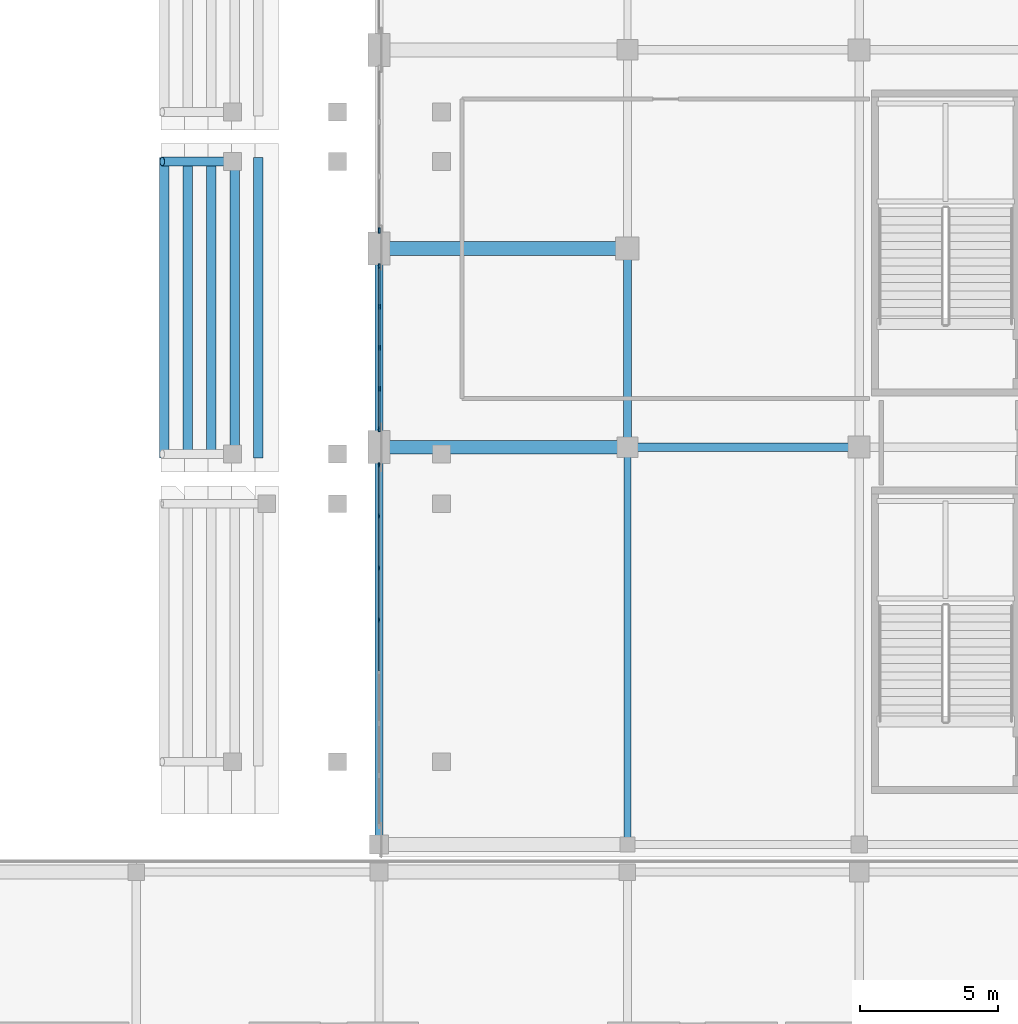
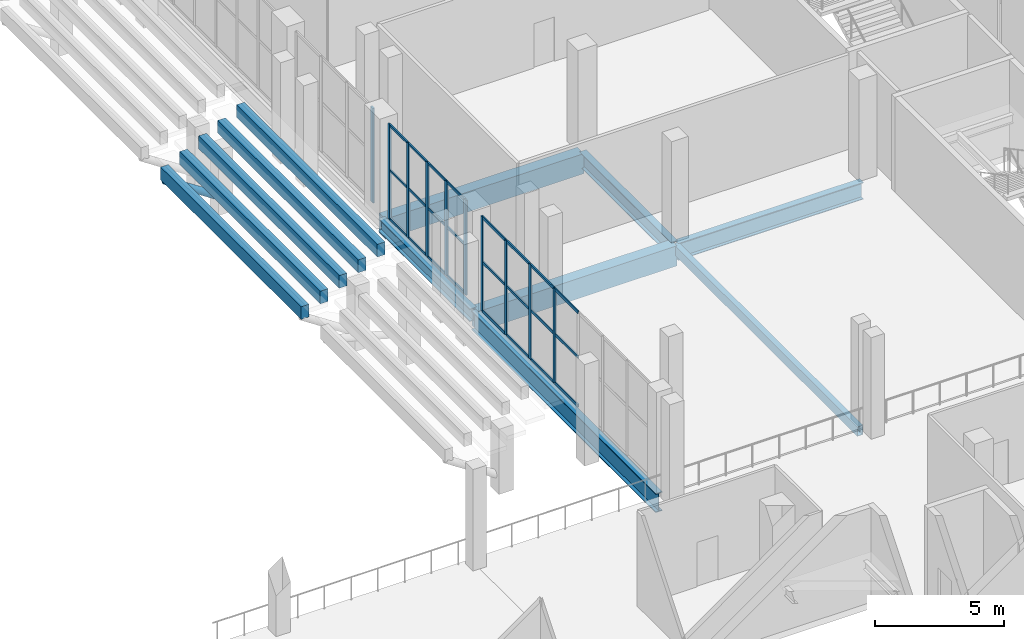
# One storey, part 44 of 142: 35 members, 12 beams, 3 elements without a shape of their own.
"""IFC4 building model written with IfcOpenShell, lengths in metres."""

import ifcopenshell
import ifcopenshell.guid

model = None  # the IFC model being written
_history = None  # IfcOwnerHistory: only IFC2X3 demands one
_inside = {}  # id of a spatial element -> (the spatial element, [elements in it])
_under = {}  # id of a project, library or spatial element -> (it, [spatial elements below it])
_declared = {}  # id of a project -> (the project, [libraries it declares])
_typed = {}  # id of a type object -> (the type object, [elements of that type])
_made_of = {}  # id of a material, layer set ... -> (it, [elements and type objects made of it])


def new_model(schema):
    """Start an empty IFC model of exactly this schema.

    Asked for "IFC4X3", IfcOpenShell would pick the latest addendum, in which some entities
    have other attributes; the version numbers below select the first issue.
    IFC2X3 requires an IfcOwnerHistory on every rooted entity: one is made here for all.
    """
    global model, _history
    if schema == "IFC4X3":
        model = ifcopenshell.file(schema_version=(4, 3, 0, 0))
    else:
        model = ifcopenshell.file(schema=schema)
    _inside.clear()
    _under.clear()
    _declared.clear()
    _typed.clear()
    _made_of.clear()
    _history = None
    if model.schema == "IFC2X3":
        org = make("IfcOrganization", Name="unknown")
        user = make(
            "IfcPersonAndOrganization",
            ThePerson=make("IfcPerson", FamilyName="unknown"),
            TheOrganization=org,
        )
        app = make(
            "IfcApplication",
            ApplicationDeveloper=org,
            Version="unknown",
            ApplicationFullName="unknown",
            ApplicationIdentifier="unknown",
        )
        _history = make(
            "IfcOwnerHistory",
            OwningUser=user,
            OwningApplication=app,
            ChangeAction="ADDED",
            CreationDate=0,
        )
    return model


def make(cls, **values):
    """One entity of the class cls with the attributes given. An attribute that is None is left unset."""
    return model.create_entity(
        cls, **{name: value for name, value in values.items() if value is not None}
    )


def rooted(cls, **values):
    """An entity with a GlobalId (a new one), such as an element, a storey or a relation."""
    return make(cls, GlobalId=ifcopenshell.guid.new(), OwnerHistory=_history, **values)


def si_unit(unit_type, name, prefix=None):
    """IfcSIUnit, for example si_unit("LENGTHUNIT", "METRE", prefix="MILLI")."""
    return make("IfcSIUnit", UnitType=unit_type, Prefix=prefix, Name=name)


def assignment(units):
    """IfcUnitAssignment: the units of a project."""
    return None if units is None else make("IfcUnitAssignment", Units=units)


def point(xyz):
    """IfcCartesianPoint."""
    return None if xyz is None else make("IfcCartesianPoint", Coordinates=xyz)


def direction(xyz):
    """IfcDirection."""
    return None if xyz is None else make("IfcDirection", DirectionRatios=xyz)


def frame(location, z_axis=None, x_axis=None):
    """IfcAxis2Placement3D, a coordinate frame: its origin and axes. An axis left out is left unset."""
    return make(
        "IfcAxis2Placement3D",
        Location=point(location),
        Axis=direction(z_axis),
        RefDirection=direction(x_axis),
    )


def frame_2d(location, x_axis=None):
    """IfcAxis2Placement2D, a coordinate frame in the plane: its origin and x axis."""
    return make(
        "IfcAxis2Placement2D", Location=point(location), RefDirection=direction(x_axis)
    )


def origin():
    """The frame at (0, 0, 0) with its axes left unset."""
    return frame((0.0, 0.0, 0.0))


def origin_2d():
    """The frame at (0, 0) in the plane with its x axis left unset."""
    return frame_2d((0.0, 0.0))


def place(relative_to, where):
    """IfcLocalPlacement: puts the frame where relative to a parent placement (None: the world)."""
    return make(
        "IfcLocalPlacement", PlacementRelTo=relative_to, RelativePlacement=where
    )


def context(
    kind, dimensions, precision=None, world=None, true_north=None, identifier=None
):
    """IfcGeometricRepresentationContext, for example the 3D "Model" context."""
    return make(
        "IfcGeometricRepresentationContext",
        ContextIdentifier=identifier,
        ContextType=kind,
        CoordinateSpaceDimension=dimensions,
        Precision=precision,
        WorldCoordinateSystem=world,
        TrueNorth=true_north,
    )


def subcontext(parent, identifier, kind, view, scale=None):
    """IfcGeometricRepresentationSubContext, for example "Body" below "Model"."""
    return make(
        "IfcGeometricRepresentationSubContext",
        ContextIdentifier=identifier,
        ContextType=kind,
        ParentContext=parent,
        TargetScale=scale,
        TargetView=view,
    )


def project(units=None, contexts=None):
    """IfcProject with its units and contexts."""
    return rooted(
        "IfcProject",
        Name="project",
        RepresentationContexts=contexts,
        UnitsInContext=assignment(units),
    )


def spatial(cls, under=None, at=None, **own):
    """A site, building, storey or space (cls), placed at a placement, below another one or the project."""
    s = rooted(cls, ObjectPlacement=at, **own)
    if under is not None:
        _under.setdefault(under.id(), (under, []))[1].append(s)
    return s


def profile(cls, at=None, kind="AREA", **sizes):
    """A parametric profile (cls). Its sizes go by their IFC names, for example OverallWidth=200.0."""
    return make(cls, ProfileType=kind, Position=at, **sizes)


def rectangle(**sizes):
    """IfcRectangleProfileDef."""
    return profile("IfcRectangleProfileDef", **sizes)


def hollow_rectangle(**sizes):
    """IfcRectangleHollowProfileDef."""
    return profile("IfcRectangleHollowProfileDef", **sizes)


def hollow_circle(**sizes):
    """IfcCircleHollowProfileDef."""
    return profile("IfcCircleHollowProfileDef", **sizes)


def i_section(**sizes):
    """IfcIShapeProfileDef."""
    return profile("IfcIShapeProfileDef", **sizes)


def extrude(swept, where, along, depth):
    """IfcExtrudedAreaSolid: the profile swept, set in the frame where, extruded along a direction by depth."""
    return make(
        "IfcExtrudedAreaSolid",
        SweptArea=swept,
        Position=where,
        ExtrudedDirection=direction(along),
        Depth=depth,
    )


def shape(context_of_items, identifier, shape_type, items):
    """IfcShapeRepresentation: the items that make up one representation, for example the "Body"."""
    return make(
        "IfcShapeRepresentation",
        ContextOfItems=context_of_items,
        RepresentationIdentifier=identifier,
        RepresentationType=shape_type,
        Items=items,
    )


def material(Name=None, Category=None):
    """IfcMaterial."""
    return make("IfcMaterial", Name=Name, Category=Category)


def material_profile(
    of_material, cross_section, Name=None, Category=None, Priority=None
):
    """IfcMaterialProfile: a cross section and its material."""
    return make(
        "IfcMaterialProfile",
        Name=Name,
        Material=of_material,
        Profile=cross_section,
        Priority=Priority,
        Category=Category,
    )


def profile_set(profiles, Name=None, composite=None):
    """IfcMaterialProfileSet."""
    return make(
        "IfcMaterialProfileSet",
        Name=Name,
        MaterialProfiles=profiles,
        CompositeProfile=composite,
    )


def made_of(thing, what):
    """Note that an element or type object is made of a material, layer set ...; save() writes the relation."""
    if what is not None:
        _made_of.setdefault(what.id(), (what, []))[1].append(thing)
    return thing


def type_object(cls, material=None, **own):
    """A type object (cls), such as IfcWallType, which elements share."""
    return made_of(rooted(cls, **own), material)


def element(
    cls,
    number,
    at=None,
    inside=None,
    cuts=None,
    type_object=None,
    material=None,
    context=None,
    identifier="Body",
    shape_type=None,
    held_by="IfcProductDefinitionShape",
    body=None,
    shapes=None,
    **own,
):
    """One element of the class cls, such as IfcWall. Its Tag is "e" and its number.

    at: its placement. inside: the storey or other place that contains it. cuts: it is an
    opening in that element (IfcRelVoidsElement). A single representation is given by context,
    identifier, shape_type and body (its items); several are given by shapes. held_by: the class
    of the entity that holds the representations. save() writes the other relations.
    """
    e = rooted(cls, Tag="e%d" % number, ObjectPlacement=at, **own)
    if body is not None:
        shapes = [shape(context, identifier, shape_type, body)]
    if shapes is not None:
        e.Representation = make(held_by, Representations=shapes)
    if inside is not None:
        _inside.setdefault(inside.id(), (inside, []))[1].append(e)
    if cuts is not None:
        rooted(
            "IfcRelVoidsElement", RelatingBuildingElement=cuts, RelatedOpeningElement=e
        )
    if type_object is not None:
        _typed.setdefault(type_object.id(), (type_object, []))[1].append(e)
    return made_of(e, material)


def aggregate(whole, parts):
    """IfcRelAggregates: a whole, such as a stair, and the parts it consists of."""
    return rooted("IfcRelAggregates", RelatingObject=whole, RelatedObjects=parts)


def save(model, path):
    """Write the relations noted so far, then the file.

    IfcRelAggregates (storeys below a building ...), IfcRelContainedInSpatialStructure (elements
    in a storey), IfcRelDefinesByType, IfcRelAssociatesMaterial and IfcRelDeclares: one each for
    every whole, place, type object, material and project.
    """
    for whole, parts in _under.values():
        aggregate(whole, parts)
    for where, things in _inside.values():
        rooted(
            "IfcRelContainedInSpatialStructure",
            RelatedElements=things,
            RelatingStructure=where,
        )
    for kind, things in _typed.values():
        rooted("IfcRelDefinesByType", RelatedObjects=things, RelatingType=kind)
    for what, things in _made_of.values():
        rooted("IfcRelAssociatesMaterial", RelatedObjects=things, RelatingMaterial=what)
    for by, libraries in _declared.values():
        rooted("IfcRelDeclares", RelatingContext=by, RelatedDefinitions=libraries)
    model.write(path)


model = new_model("IFC4")

# Units and contexts
model_context = context("Model", 3, precision=1e-05, world=origin(), true_north=direction((0.0, 1.0)))
body_context = subcontext(model_context, "Body", "Model", "MODEL_VIEW")
ifc_project = project(units=[si_unit("LENGTHUNIT", "METRE"), si_unit("AREAUNIT", "SQUARE_METRE"), si_unit("VOLUMEUNIT", "CUBIC_METRE"), si_unit("PLANEANGLEUNIT", "RADIAN"), si_unit("MASSUNIT", "GRAM", prefix="KILO")], contexts=[model_context])

# Site, building, storey
site_placement = place(None, origin())
site = spatial("IfcSite", under=ifc_project, at=site_placement, CompositionType="ELEMENT")
building_placement = place(site_placement, origin())
building = spatial("IfcBuilding", under=site, at=building_placement, Name="Koshinbarg Plaza Stadium", CompositionType="ELEMENT")
storey_placement = place(building_placement, frame((0.0, 0.0, 10.199951171875)))
storey = spatial("IfcBuildingStorey", under=building, at=storey_placement, Name="L02", CompositionType="ELEMENT", Elevation=10.199951171875)

# Beams
ifc_material_1 = material(Name="Concrete C40/50", Category="concrete")
ifc_material_profile_1 = material_profile(ifc_material_1, rectangle(XDim=0.35009765625, YDim=0.60009765625, at=origin_2d()), Name="RC 350x600")
ifc_profile_set_1 = profile_set([ifc_material_profile_1], Name="Concrete C40/50")
beam_type_1 = type_object("IfcBeamType", Name="BM-RCG-01", PredefinedType="SPANDREL", material=ifc_profile_set_1)
for number, where, z_axis, x_axis, name in (
    (1, (172.6201171875, 39.5, 2.52001953125), (0.0, 1.0, 0.0), (-1.0, 0.0, 0.0), "Upper tier seat bearer UT-E02-R01"),
    (2, (173.469970703125, 39.5, 2.9599609375), (0.0, 1.0, 0.0), (-1.0, 0.0, 0.0), "Upper tier seat bearer UT-E02-R02"),
    (3, (174.320068359375, 39.5, 3.400146484375), (0.0, 1.0, 0.0), (-1.0, 0.0, 0.0), "Upper tier seat bearer UT-E02-R03"),
    (4, (175.169921875, 39.5, 3.840087890625), (0.0, 1.0, 0.0), (-1.0, 0.0, 0.0), "Upper tier seat bearer UT-E02-R04"),
    (5, (176.02001953125, 39.5, 4.280029296875), (0.0, 1.0, 0.0), (-1.0, 0.0, 0.0), "Upper tier seat bearer UT-E02-R05"),
):
    element("IfcBeam", number, at=place(storey_placement, frame(where, z_axis=z_axis, x_axis=x_axis)), inside=storey, type_object=beam_type_1, Name=name, PredefinedType="SPANDREL", context=body_context, shape_type="SweptSolid", body=[
        extrude(rectangle(XDim=0.35009765625, YDim=0.60009765625, at=origin_2d()), origin(), (0.0, 0.0, 1.0), 10.89990234375),
    ])
ifc_material_profile_2 = material_profile(ifc_material_1, rectangle(XDim=0.5, YDim=0.949951171875, at=origin_2d()), Name="RC 500x950")
ifc_profile_set_2 = profile_set([ifc_material_profile_2], Name="Concrete C40/50")
beam_type_2 = type_object("IfcBeamType", Name="BM-RCG-06", PredefinedType="USERDEFINED", material=ifc_profile_set_2)
for number, where, z_axis, x_axis, name in (
    (6, (180.4599609375, 39.89990234375, -0.77490234375), (1.0, 0.0, 0.0), (0.0, 1.0, 0.0), "L02 X girder F/17-18"),
    (7, (180.4599609375, 47.10009765625, -0.77490234375), (1.0, 0.0, 0.0), (0.0, 1.0, 0.0), "L02 X girder G/17-18"),
):
    element("IfcBeam", number, at=place(storey_placement, frame(where, z_axis=z_axis, x_axis=x_axis)), inside=storey, type_object=beam_type_2, Name=name, ObjectType="GIRDER", PredefinedType="USERDEFINED", context=body_context, shape_type="SweptSolid", body=[
        extrude(rectangle(XDim=0.5, YDim=0.949951171875, at=origin_2d()), origin(), (0.0, 0.0, 1.0), 8.880126953125),
    ])
ifc_material_2 = material(Name="Steel S355", Category="steel")
ifc_material_profile_3 = material_profile(ifc_material_2, i_section(OverallWidth=0.300048828125, OverallDepth=0.60009765625, WebThickness=0.015380859375, FlangeThickness=0.030029296875, at=origin_2d()), Name="HEB 600")
ifc_profile_set_3 = profile_set([ifc_material_profile_3], Name="Steel S355")
beam_type_3 = type_object("IfcBeamType", Name="BM-SGIR-02", PredefinedType="USERDEFINED", material=ifc_profile_set_3)
beam_1_placement = place(storey_placement, frame((180.39990234375, 39.9599609375, -0.599853515625), z_axis=(0.0, 1.0, 0.0), x_axis=(-1.0, 0.0, 0.0)))
element("IfcBeam", 8, at=beam_1_placement, inside=storey, type_object=beam_type_3, Name="L02 Y girder 17/F-G", ObjectType="GIRDER", PredefinedType="USERDEFINED", context=body_context, shape_type="SweptSolid", body=[
    extrude(i_section(OverallWidth=0.300048828125, OverallDepth=0.60009765625, WebThickness=0.015380859375, FlangeThickness=0.030029296875, at=origin_2d()), origin(), (0.0, 0.0, 1.0), 7.080078125),
])
ifc_material_profile_4 = material_profile(ifc_material_2, i_section(OverallWidth=0.300048828125, OverallDepth=0.699951171875, WebThickness=0.01708984375, FlangeThickness=0.031982421875, at=origin_2d()), Name="HEB 700")
ifc_profile_set_4 = profile_set([ifc_material_profile_4], Name="Steel S355")
beam_type_4 = type_object("IfcBeamType", Name="BM-SGIR-03", PredefinedType="USERDEFINED", material=ifc_profile_set_4)
beam_2_placement = place(storey_placement, frame((189.39990234375, 39.9599609375, -0.64990234375), z_axis=(0.0, 1.0, 0.0), x_axis=(-1.0, 0.0, 0.0)))
element("IfcBeam", 9, at=beam_2_placement, inside=storey, type_object=beam_type_4, Name="L02 Y girder 18/F-G", ObjectType="GIRDER", PredefinedType="USERDEFINED", context=body_context, shape_type="SweptSolid", body=[
    extrude(i_section(OverallWidth=0.300048828125, OverallDepth=0.699951171875, WebThickness=0.01708984375, FlangeThickness=0.031982421875, at=origin_2d()), origin(), (0.0, 0.0, 1.0), 7.080078125),
])
ifc_material_profile_5 = material_profile(ifc_material_2, i_section(OverallWidth=0.300048828125, OverallDepth=0.800048828125, WebThickness=0.017578125, FlangeThickness=0.032958984375, at=origin_2d()), Name="HEB 800")
ifc_profile_set_5 = profile_set([ifc_material_profile_5], Name="Steel S355")
beam_type_5 = type_object("IfcBeamType", Name="BM-SGIR-04", PredefinedType="USERDEFINED", material=ifc_profile_set_5)
beam_3_placement = place(storey_placement, frame((189.4599609375, 39.89990234375, -0.699951171875), z_axis=(1.0, 0.0, 0.0), x_axis=(0.0, 1.0, 0.0)))
element("IfcBeam", 10, at=beam_3_placement, inside=storey, type_object=beam_type_5, Name="L02 X girder F/18-19", ObjectType="GIRDER", PredefinedType="USERDEFINED", context=body_context, shape_type="SweptSolid", body=[
    extrude(i_section(OverallWidth=0.300048828125, OverallDepth=0.800048828125, WebThickness=0.017578125, FlangeThickness=0.032958984375, at=origin_2d()), origin(), (0.0, 0.0, 1.0), 8.280029296875),
])
ifc_material_profile_6 = material_profile(ifc_material_2, i_section(OverallWidth=0.300048828125, OverallDepth=0.89990234375, WebThickness=0.0185546875, FlangeThickness=0.034912109375, at=origin_2d()), Name="HEB 900")
ifc_profile_set_6 = profile_set([ifc_material_profile_6], Name="Steel S355")
beam_type_6 = type_object("IfcBeamType", Name="BM-SGIR-05", PredefinedType="USERDEFINED", material=ifc_profile_set_6)
beam_4_placement = place(storey_placement, frame((180.39990234375, 25.56005859375, -0.75), z_axis=(0.0, 1.0, 0.0), x_axis=(-1.0, 0.0, 0.0)))
element("IfcBeam", 11, at=beam_4_placement, inside=storey, type_object=beam_type_6, Name="L02 Y girder 17/E-F", ObjectType="GIRDER", PredefinedType="USERDEFINED", context=body_context, shape_type="SweptSolid", body=[
    extrude(i_section(OverallWidth=0.300048828125, OverallDepth=0.89990234375, WebThickness=0.0185546875, FlangeThickness=0.034912109375, at=origin_2d()), origin(), (0.0, 0.0, 1.0), 14.280029296875),
])
ifc_material_profile_7 = material_profile(ifc_material_2, hollow_rectangle(XDim=0.25, YDim=0.449951171875, WallThickness=0.01611328125, at=origin_2d()), Name="RHS 450x250x16")
ifc_profile_set_7 = profile_set([ifc_material_profile_7], Name="Steel S355")
beam_type_7 = type_object("IfcBeamType", Name="BM-SGIR-06", PredefinedType="USERDEFINED", material=ifc_profile_set_7)
beam_5_placement = place(storey_placement, frame((189.39990234375, 25.56005859375, -0.52490234375), z_axis=(0.0, 1.0, 0.0), x_axis=(-1.0, 0.0, 0.0)))
element("IfcBeam", 12, at=beam_5_placement, inside=storey, type_object=beam_type_7, Name="L02 Y girder 18/E-F", ObjectType="GIRDER", PredefinedType="USERDEFINED", context=body_context, shape_type="SweptSolid", body=[
    extrude(hollow_rectangle(XDim=0.25, YDim=0.449951171875, WallThickness=0.01611328125, at=origin_2d()), origin(), (0.0, 0.0, 1.0), 14.280029296875),
])

# Curtain wall, members
ifc_material_3 = material(Name="Thermally broken anodised aluminium and low-E double glazing", Category="aluminium")
curtain_wall_type_1 = type_object("IfcCurtainWallType", Name="CW-SYS-02", PredefinedType="NOTDEFINED", material=ifc_material_3)
curtain_wall_1_placement = place(storey_placement, origin())
curtain_wall_1 = element("IfcCurtainWall", 13, at=curtain_wall_1_placement, inside=storey, type_object=curtain_wall_type_1, Name="L02 unitised curtain wall CW-L02-081", PredefinedType="NOTDEFINED")
ifc_material_4 = material(Name="Anodised aluminium mullion", Category="aluminium")
ifc_material_profile_8 = material_profile(ifc_material_4, rectangle(XDim=0.06005859375, YDim=0.159912109375, at=origin_2d()), Name="ALU 60x160")
ifc_profile_set_8 = profile_set([ifc_material_profile_8], Name="Anodised aluminium mullion")
member_type_1 = type_object("IfcMemberType", Name="CW-MUL-02", PredefinedType="MULLION", material=ifc_profile_set_8)
member_1_placement = place(storey_placement, frame((180.39990234375, 33.639892578125, 0.0), z_axis=(0.0, 0.0, 1.0), x_axis=(-1.0, 0.0, 0.0)))
member_1 = element("IfcMember", 14, at=member_1_placement, type_object=member_type_1, Name="CW02 mullion 5", PredefinedType="MULLION", context=body_context, shape_type="SweptSolid", body=[
    extrude(rectangle(XDim=0.06005859375, YDim=0.159912109375, at=origin_2d()), origin(), (0.0, 0.0, 1.0), 4.47998046875),
])
member_2_placement = place(storey_placement, frame((180.39990234375, 35.52001953125, 0.0), z_axis=(0.0, 0.0, 1.0), x_axis=(-1.0, 0.0, 0.0)))
member_2 = element("IfcMember", 15, at=member_2_placement, type_object=member_type_1, Name="CW02 mullion 6", PredefinedType="MULLION", context=body_context, shape_type="SweptSolid", body=[
    extrude(rectangle(XDim=0.06005859375, YDim=0.159912109375, at=origin_2d()), origin(), (0.0, 0.0, 1.0), 4.47998046875),
])
member_3_placement = place(storey_placement, frame((180.39990234375, 37.39990234375, 0.0), z_axis=(0.0, 0.0, 1.0), x_axis=(-1.0, 0.0, 0.0)))
member_3 = element("IfcMember", 16, at=member_3_placement, type_object=member_type_1, Name="CW02 mullion 7", PredefinedType="MULLION", context=body_context, shape_type="SweptSolid", body=[
    extrude(rectangle(XDim=0.06005859375, YDim=0.159912109375, at=origin_2d()), origin(), (0.0, 0.0, 1.0), 4.47998046875),
])
member_4_placement = place(storey_placement, frame((180.39990234375, 39.25, 0.0), z_axis=(0.0, 0.0, 1.0), x_axis=(-1.0, 0.0, 0.0)))
member_4 = element("IfcMember", 17, at=member_4_placement, type_object=member_type_1, Name="CW02 mullion 8", PredefinedType="MULLION", context=body_context, shape_type="SweptSolid", body=[
    extrude(rectangle(XDim=0.06005859375, YDim=0.159912109375, at=origin_2d()), origin(), (0.0, 0.0, 1.0), 4.47998046875),
])

curtain_wall_type_2 = type_object("IfcCurtainWallType", Name="CW-SYS-03", PredefinedType="NOTDEFINED", material=ifc_material_3)
curtain_wall_2_placement = place(storey_placement, origin())
curtain_wall_2 = element("IfcCurtainWall", 18, at=curtain_wall_2_placement, inside=storey, type_object=curtain_wall_type_2, Name="L02 unitised curtain wall CW-L02-082", PredefinedType="NOTDEFINED")
ifc_material_profile_9 = material_profile(ifc_material_4, rectangle(XDim=0.070068359375, YDim=0.179931640625, at=origin_2d()), Name="ALU 70x180")
ifc_profile_set_9 = profile_set([ifc_material_profile_9], Name="Anodised aluminium mullion")
member_type_2 = type_object("IfcMemberType", Name="CW-MUL-03", PredefinedType="MULLION", material=ifc_profile_set_9)
member_5_placement = place(storey_placement, frame((180.39990234375, 40.550048828125, 0.0), z_axis=(0.0, 0.0, 1.0), x_axis=(-1.0, 0.0, 0.0)))
member_5 = element("IfcMember", 19, at=member_5_placement, type_object=member_type_2, Name="CW03 mullion 1", PredefinedType="MULLION", context=body_context, shape_type="SweptSolid", body=[
    extrude(rectangle(XDim=0.070068359375, YDim=0.179931640625, at=origin_2d()), origin(), (0.0, 0.0, 1.0), 4.47998046875),
])
member_6_placement = place(storey_placement, frame((180.39990234375, 42.010009765625, 0.0), z_axis=(0.0, 0.0, 1.0), x_axis=(-1.0, 0.0, 0.0)))
member_6 = element("IfcMember", 20, at=member_6_placement, type_object=member_type_2, Name="CW03 mullion 2", PredefinedType="MULLION", context=body_context, shape_type="SweptSolid", body=[
    extrude(rectangle(XDim=0.070068359375, YDim=0.179931640625, at=origin_2d()), origin(), (0.0, 0.0, 1.0), 4.47998046875),
])
member_7_placement = place(storey_placement, frame((180.39990234375, 43.5, 0.0), z_axis=(0.0, 0.0, 1.0), x_axis=(-1.0, 0.0, 0.0)))
member_7 = element("IfcMember", 21, at=member_7_placement, type_object=member_type_2, Name="CW03 mullion 3", PredefinedType="MULLION", context=body_context, shape_type="SweptSolid", body=[
    extrude(rectangle(XDim=0.070068359375, YDim=0.179931640625, at=origin_2d()), origin(), (0.0, 0.0, 1.0), 4.47998046875),
])
member_8_placement = place(storey_placement, frame((180.39990234375, 44.989990234375, 0.0), z_axis=(0.0, 0.0, 1.0), x_axis=(-1.0, 0.0, 0.0)))
member_8 = element("IfcMember", 22, at=member_8_placement, type_object=member_type_2, Name="CW03 mullion 4", PredefinedType="MULLION", context=body_context, shape_type="SweptSolid", body=[
    extrude(rectangle(XDim=0.070068359375, YDim=0.179931640625, at=origin_2d()), origin(), (0.0, 0.0, 1.0), 4.47998046875),
])
member_9_placement = place(storey_placement, frame((180.39990234375, 46.449951171875, 0.0), z_axis=(0.0, 0.0, 1.0), x_axis=(-1.0, 0.0, 0.0)))
member_9 = element("IfcMember", 23, at=member_9_placement, type_object=member_type_2, Name="CW03 mullion 5", PredefinedType="MULLION", context=body_context, shape_type="SweptSolid", body=[
    extrude(rectangle(XDim=0.070068359375, YDim=0.179931640625, at=origin_2d()), origin(), (0.0, 0.0, 1.0), 4.47998046875),
])

# Curtain wall, member
curtain_wall_type_3 = type_object("IfcCurtainWallType", Name="CW-SYS-04", PredefinedType="NOTDEFINED", material=ifc_material_3)
curtain_wall_3_placement = place(storey_placement, origin())
curtain_wall_3 = element("IfcCurtainWall", 24, at=curtain_wall_3_placement, inside=storey, type_object=curtain_wall_type_3, Name="L02 unitised curtain wall CW-L02-083", PredefinedType="NOTDEFINED")
ifc_material_profile_10 = material_profile(ifc_material_4, rectangle(XDim=0.070068359375, YDim=0.199951171875, at=origin_2d()), Name="ALU 70x200")
ifc_profile_set_10 = profile_set([ifc_material_profile_10], Name="Anodised aluminium mullion")
member_type_3 = type_object("IfcMemberType", Name="CW-MUL-04", PredefinedType="MULLION", material=ifc_profile_set_10)
member_10_placement = place(storey_placement, frame((180.39990234375, 47.75, 0.0), z_axis=(0.0, 0.0, 1.0), x_axis=(-1.0, 0.0, 0.0)))
member_10 = element("IfcMember", 25, at=member_10_placement, type_object=member_type_3, Name="CW04 mullion 1", PredefinedType="MULLION", context=body_context, shape_type="SweptSolid", body=[
    extrude(rectangle(XDim=0.070068359375, YDim=0.199951171875, at=origin_2d()), origin(), (0.0, 0.0, 1.0), 4.47998046875),
])
aggregate(curtain_wall_3, [member_10])

# Member
ifc_material_5 = material(Name="Anodised aluminium transom", Category="aluminium")
ifc_material_profile_11 = material_profile(ifc_material_5, rectangle(XDim=0.06005859375, YDim=0.110107421875, at=origin_2d()), Name="ALU 60x110")
ifc_profile_set_11 = profile_set([ifc_material_profile_11], Name="Anodised aluminium transom")
member_type_4 = type_object("IfcMemberType", Name="CW-TRN-01", PredefinedType="USERDEFINED", material=ifc_profile_set_11)
member_11_placement = place(storey_placement, frame((180.39990234375, 40.580078125, 0.030029296875), z_axis=(0.0, 1.0, 0.0), x_axis=(-1.0, 0.0, 0.0)))
member_11 = element("IfcMember", 26, at=member_11_placement, type_object=member_type_4, Name="CW03 transom 1.1", ObjectType="TRANSOM", PredefinedType="USERDEFINED", context=body_context, shape_type="SweptSolid", body=[
    extrude(rectangle(XDim=0.06005859375, YDim=0.110107421875, at=origin_2d()), origin(), (0.0, 0.0, 1.0), 1.39990234375),
])

member_12_placement = place(storey_placement, frame((180.39990234375, 40.580078125, 2.32958984375), z_axis=(0.0, 1.0, 0.0), x_axis=(-1.0, 0.0, 0.0)))
member_12 = element("IfcMember", 27, at=member_12_placement, type_object=member_type_4, Name="CW03 transom 1.2", ObjectType="TRANSOM", PredefinedType="USERDEFINED", context=body_context, shape_type="SweptSolid", body=[
    extrude(rectangle(XDim=0.06005859375, YDim=0.110107421875, at=origin_2d()), origin(), (0.0, 0.0, 1.0), 1.39990234375),
])

member_13_placement = place(storey_placement, frame((180.39990234375, 40.580078125, 4.449951171875), z_axis=(0.0, 1.0, 0.0), x_axis=(-1.0, 0.0, 0.0)))
member_13 = element("IfcMember", 28, at=member_13_placement, type_object=member_type_4, Name="CW03 transom 1.3", ObjectType="TRANSOM", PredefinedType="USERDEFINED", context=body_context, shape_type="SweptSolid", body=[
    extrude(rectangle(XDim=0.06005859375, YDim=0.110107421875, at=origin_2d()), origin(), (0.0, 0.0, 1.0), 1.39990234375),
])

member_14_placement = place(storey_placement, frame((180.39990234375, 42.0400390625, 0.030029296875), z_axis=(0.0, 1.0, 0.0), x_axis=(-1.0, 0.0, 0.0)))
member_14 = element("IfcMember", 29, at=member_14_placement, type_object=member_type_4, Name="CW03 transom 2.1", ObjectType="TRANSOM", PredefinedType="USERDEFINED", context=body_context, shape_type="SweptSolid", body=[
    extrude(rectangle(XDim=0.06005859375, YDim=0.110107421875, at=origin_2d()), origin(), (0.0, 0.0, 1.0), 1.429931640625),
])

member_15_placement = place(storey_placement, frame((180.39990234375, 42.0400390625, 2.32958984375), z_axis=(0.0, 1.0, 0.0), x_axis=(-1.0, 0.0, 0.0)))
member_15 = element("IfcMember", 30, at=member_15_placement, type_object=member_type_4, Name="CW03 transom 2.2", ObjectType="TRANSOM", PredefinedType="USERDEFINED", context=body_context, shape_type="SweptSolid", body=[
    extrude(rectangle(XDim=0.06005859375, YDim=0.110107421875, at=origin_2d()), origin(), (0.0, 0.0, 1.0), 1.429931640625),
])

member_16_placement = place(storey_placement, frame((180.39990234375, 42.0400390625, 4.449951171875), z_axis=(0.0, 1.0, 0.0), x_axis=(-1.0, 0.0, 0.0)))
member_16 = element("IfcMember", 31, at=member_16_placement, type_object=member_type_4, Name="CW03 transom 2.3", ObjectType="TRANSOM", PredefinedType="USERDEFINED", context=body_context, shape_type="SweptSolid", body=[
    extrude(rectangle(XDim=0.06005859375, YDim=0.110107421875, at=origin_2d()), origin(), (0.0, 0.0, 1.0), 1.429931640625),
])

member_17_placement = place(storey_placement, frame((180.39990234375, 43.530029296875, 0.030029296875), z_axis=(0.0, 1.0, 0.0), x_axis=(-1.0, 0.0, 0.0)))
member_17 = element("IfcMember", 32, at=member_17_placement, type_object=member_type_4, Name="CW03 transom 3.1", ObjectType="TRANSOM", PredefinedType="USERDEFINED", context=body_context, shape_type="SweptSolid", body=[
    extrude(rectangle(XDim=0.06005859375, YDim=0.110107421875, at=origin_2d()), origin(), (0.0, 0.0, 1.0), 1.429931640625),
])

member_18_placement = place(storey_placement, frame((180.39990234375, 43.530029296875, 2.32958984375), z_axis=(0.0, 1.0, 0.0), x_axis=(-1.0, 0.0, 0.0)))
member_18 = element("IfcMember", 33, at=member_18_placement, type_object=member_type_4, Name="CW03 transom 3.2", ObjectType="TRANSOM", PredefinedType="USERDEFINED", context=body_context, shape_type="SweptSolid", body=[
    extrude(rectangle(XDim=0.06005859375, YDim=0.110107421875, at=origin_2d()), origin(), (0.0, 0.0, 1.0), 1.429931640625),
])

member_19_placement = place(storey_placement, frame((180.39990234375, 43.530029296875, 4.449951171875), z_axis=(0.0, 1.0, 0.0), x_axis=(-1.0, 0.0, 0.0)))
member_19 = element("IfcMember", 34, at=member_19_placement, type_object=member_type_4, Name="CW03 transom 3.3", ObjectType="TRANSOM", PredefinedType="USERDEFINED", context=body_context, shape_type="SweptSolid", body=[
    extrude(rectangle(XDim=0.06005859375, YDim=0.110107421875, at=origin_2d()), origin(), (0.0, 0.0, 1.0), 1.429931640625),
])

member_20_placement = place(storey_placement, frame((180.39990234375, 45.02001953125, 0.030029296875), z_axis=(0.0, 1.0, 0.0), x_axis=(-1.0, 0.0, 0.0)))
member_20 = element("IfcMember", 35, at=member_20_placement, type_object=member_type_4, Name="CW03 transom 4.1", ObjectType="TRANSOM", PredefinedType="USERDEFINED", context=body_context, shape_type="SweptSolid", body=[
    extrude(rectangle(XDim=0.06005859375, YDim=0.110107421875, at=origin_2d()), origin(), (0.0, 0.0, 1.0), 1.39990234375),
])

member_21_placement = place(storey_placement, frame((180.39990234375, 45.02001953125, 2.32958984375), z_axis=(0.0, 1.0, 0.0), x_axis=(-1.0, 0.0, 0.0)))
member_21 = element("IfcMember", 36, at=member_21_placement, type_object=member_type_4, Name="CW03 transom 4.2", ObjectType="TRANSOM", PredefinedType="USERDEFINED", context=body_context, shape_type="SweptSolid", body=[
    extrude(rectangle(XDim=0.06005859375, YDim=0.110107421875, at=origin_2d()), origin(), (0.0, 0.0, 1.0), 1.39990234375),
])

member_22_placement = place(storey_placement, frame((180.39990234375, 45.02001953125, 4.449951171875), z_axis=(0.0, 1.0, 0.0), x_axis=(-1.0, 0.0, 0.0)))
member_22 = element("IfcMember", 37, at=member_22_placement, type_object=member_type_4, Name="CW03 transom 4.3", ObjectType="TRANSOM", PredefinedType="USERDEFINED", context=body_context, shape_type="SweptSolid", body=[
    extrude(rectangle(XDim=0.06005859375, YDim=0.110107421875, at=origin_2d()), origin(), (0.0, 0.0, 1.0), 1.39990234375),
])

aggregate(curtain_wall_2, [member_5, member_6, member_7, member_8, member_9, member_11, member_12, member_13, member_14, member_15, member_16, member_17, member_18, member_19, member_20, member_21, member_22])

ifc_material_profile_12 = material_profile(ifc_material_5, rectangle(XDim=0.06005859375, YDim=0.1298828125, at=origin_2d()), Name="ALU 60x130")
ifc_profile_set_12 = profile_set([ifc_material_profile_12], Name="Anodised aluminium transom")
member_type_5 = type_object("IfcMemberType", Name="CW-TRN-02", PredefinedType="USERDEFINED", material=ifc_profile_set_12)
member_23_placement = place(storey_placement, frame((180.39990234375, 31.7900390625, 0.030029296875), z_axis=(0.0, 1.0, 0.0), x_axis=(-1.0, 0.0, 0.0)))
member_23 = element("IfcMember", 38, at=member_23_placement, type_object=member_type_5, Name="CW02 transom 4.1", ObjectType="TRANSOM", PredefinedType="USERDEFINED", context=body_context, shape_type="SweptSolid", body=[
    extrude(rectangle(XDim=0.06005859375, YDim=0.1298828125, at=origin_2d()), origin(), (0.0, 0.0, 1.0), 1.820068359375),
])

member_24_placement = place(storey_placement, frame((180.39990234375, 31.7900390625, 2.32958984375), z_axis=(0.0, 1.0, 0.0), x_axis=(-1.0, 0.0, 0.0)))
member_24 = element("IfcMember", 39, at=member_24_placement, type_object=member_type_5, Name="CW02 transom 4.2", ObjectType="TRANSOM", PredefinedType="USERDEFINED", context=body_context, shape_type="SweptSolid", body=[
    extrude(rectangle(XDim=0.06005859375, YDim=0.1298828125, at=origin_2d()), origin(), (0.0, 0.0, 1.0), 1.820068359375),
])

member_25_placement = place(storey_placement, frame((180.39990234375, 31.7900390625, 4.449951171875), z_axis=(0.0, 1.0, 0.0), x_axis=(-1.0, 0.0, 0.0)))
member_25 = element("IfcMember", 40, at=member_25_placement, type_object=member_type_5, Name="CW02 transom 4.3", ObjectType="TRANSOM", PredefinedType="USERDEFINED", context=body_context, shape_type="SweptSolid", body=[
    extrude(rectangle(XDim=0.06005859375, YDim=0.1298828125, at=origin_2d()), origin(), (0.0, 0.0, 1.0), 1.820068359375),
])

member_26_placement = place(storey_placement, frame((180.39990234375, 33.669921875, 0.030029296875), z_axis=(0.0, 1.0, 0.0), x_axis=(-1.0, 0.0, 0.0)))
member_26 = element("IfcMember", 41, at=member_26_placement, type_object=member_type_5, Name="CW02 transom 5.1", ObjectType="TRANSOM", PredefinedType="USERDEFINED", context=body_context, shape_type="SweptSolid", body=[
    extrude(rectangle(XDim=0.06005859375, YDim=0.1298828125, at=origin_2d()), origin(), (0.0, 0.0, 1.0), 1.820068359375),
])

member_27_placement = place(storey_placement, frame((180.39990234375, 33.669921875, 2.32958984375), z_axis=(0.0, 1.0, 0.0), x_axis=(-1.0, 0.0, 0.0)))
member_27 = element("IfcMember", 42, at=member_27_placement, type_object=member_type_5, Name="CW02 transom 5.2", ObjectType="TRANSOM", PredefinedType="USERDEFINED", context=body_context, shape_type="SweptSolid", body=[
    extrude(rectangle(XDim=0.06005859375, YDim=0.1298828125, at=origin_2d()), origin(), (0.0, 0.0, 1.0), 1.820068359375),
])

member_28_placement = place(storey_placement, frame((180.39990234375, 33.669921875, 4.449951171875), z_axis=(0.0, 1.0, 0.0), x_axis=(-1.0, 0.0, 0.0)))
member_28 = element("IfcMember", 43, at=member_28_placement, type_object=member_type_5, Name="CW02 transom 5.3", ObjectType="TRANSOM", PredefinedType="USERDEFINED", context=body_context, shape_type="SweptSolid", body=[
    extrude(rectangle(XDim=0.06005859375, YDim=0.1298828125, at=origin_2d()), origin(), (0.0, 0.0, 1.0), 1.820068359375),
])

member_29_placement = place(storey_placement, frame((180.39990234375, 35.550048828125, 0.030029296875), z_axis=(0.0, 1.0, 0.0), x_axis=(-1.0, 0.0, 0.0)))
member_29 = element("IfcMember", 44, at=member_29_placement, type_object=member_type_5, Name="CW02 transom 6.1", ObjectType="TRANSOM", PredefinedType="USERDEFINED", context=body_context, shape_type="SweptSolid", body=[
    extrude(rectangle(XDim=0.06005859375, YDim=0.1298828125, at=origin_2d()), origin(), (0.0, 0.0, 1.0), 1.820068359375),
])

member_30_placement = place(storey_placement, frame((180.39990234375, 35.550048828125, 2.32958984375), z_axis=(0.0, 1.0, 0.0), x_axis=(-1.0, 0.0, 0.0)))
member_30 = element("IfcMember", 45, at=member_30_placement, type_object=member_type_5, Name="CW02 transom 6.2", ObjectType="TRANSOM", PredefinedType="USERDEFINED", context=body_context, shape_type="SweptSolid", body=[
    extrude(rectangle(XDim=0.06005859375, YDim=0.1298828125, at=origin_2d()), origin(), (0.0, 0.0, 1.0), 1.820068359375),
])

member_31_placement = place(storey_placement, frame((180.39990234375, 35.550048828125, 4.449951171875), z_axis=(0.0, 1.0, 0.0), x_axis=(-1.0, 0.0, 0.0)))
member_31 = element("IfcMember", 46, at=member_31_placement, type_object=member_type_5, Name="CW02 transom 6.3", ObjectType="TRANSOM", PredefinedType="USERDEFINED", context=body_context, shape_type="SweptSolid", body=[
    extrude(rectangle(XDim=0.06005859375, YDim=0.1298828125, at=origin_2d()), origin(), (0.0, 0.0, 1.0), 1.820068359375),
])

member_32_placement = place(storey_placement, frame((180.39990234375, 37.429931640625, 0.030029296875), z_axis=(0.0, 1.0, 0.0), x_axis=(-1.0, 0.0, 0.0)))
member_32 = element("IfcMember", 47, at=member_32_placement, type_object=member_type_5, Name="CW02 transom 7.1", ObjectType="TRANSOM", PredefinedType="USERDEFINED", context=body_context, shape_type="SweptSolid", body=[
    extrude(rectangle(XDim=0.06005859375, YDim=0.1298828125, at=origin_2d()), origin(), (0.0, 0.0, 1.0), 1.7900390625),
])

member_33_placement = place(storey_placement, frame((180.39990234375, 37.429931640625, 2.32958984375), z_axis=(0.0, 1.0, 0.0), x_axis=(-1.0, 0.0, 0.0)))
member_33 = element("IfcMember", 48, at=member_33_placement, type_object=member_type_5, Name="CW02 transom 7.2", ObjectType="TRANSOM", PredefinedType="USERDEFINED", context=body_context, shape_type="SweptSolid", body=[
    extrude(rectangle(XDim=0.06005859375, YDim=0.1298828125, at=origin_2d()), origin(), (0.0, 0.0, 1.0), 1.7900390625),
])

member_34_placement = place(storey_placement, frame((180.39990234375, 37.429931640625, 4.449951171875), z_axis=(0.0, 1.0, 0.0), x_axis=(-1.0, 0.0, 0.0)))
member_34 = element("IfcMember", 49, at=member_34_placement, type_object=member_type_5, Name="CW02 transom 7.3", ObjectType="TRANSOM", PredefinedType="USERDEFINED", context=body_context, shape_type="SweptSolid", body=[
    extrude(rectangle(XDim=0.06005859375, YDim=0.1298828125, at=origin_2d()), origin(), (0.0, 0.0, 1.0), 1.7900390625),
])

aggregate(curtain_wall_1, [member_1, member_2, member_3, member_4, member_23, member_24, member_25, member_26, member_27, member_28, member_29, member_30, member_31, member_32, member_33, member_34])

ifc_material_profile_13 = material_profile(ifc_material_2, hollow_circle(Radius=0.161865234375, WallThickness=0.01416015625, at=origin_2d()), Name="CHS 323.9x14.2")
ifc_profile_set_13 = profile_set([ifc_material_profile_13], Name="Steel S355")
member_type_6 = type_object("IfcMemberType", Name="MB-BRACE-01", PredefinedType="BRACE", material=ifc_profile_set_13)
member_35_placement = place(storey_placement, frame((175.080078125, 50.25, 0.582763671875), z_axis=(-0.8349280335, 0.0, 0.550359136269), x_axis=(0.0, -1.0, 0.0)))
element("IfcMember", 50, at=member_35_placement, inside=storey, type_object=member_type_6, Name="Upper tier cantilever knee strut UT-E02-R", PredefinedType="BRACE", context=body_context, shape_type="SweptSolid", body=[
    extrude(hollow_circle(Radius=0.161865234375, WallThickness=0.01416015625, at=origin_2d()), origin(), (0.0, 0.0, 1.0), 3.042236328125),
])

save(model, "model.ifc")
